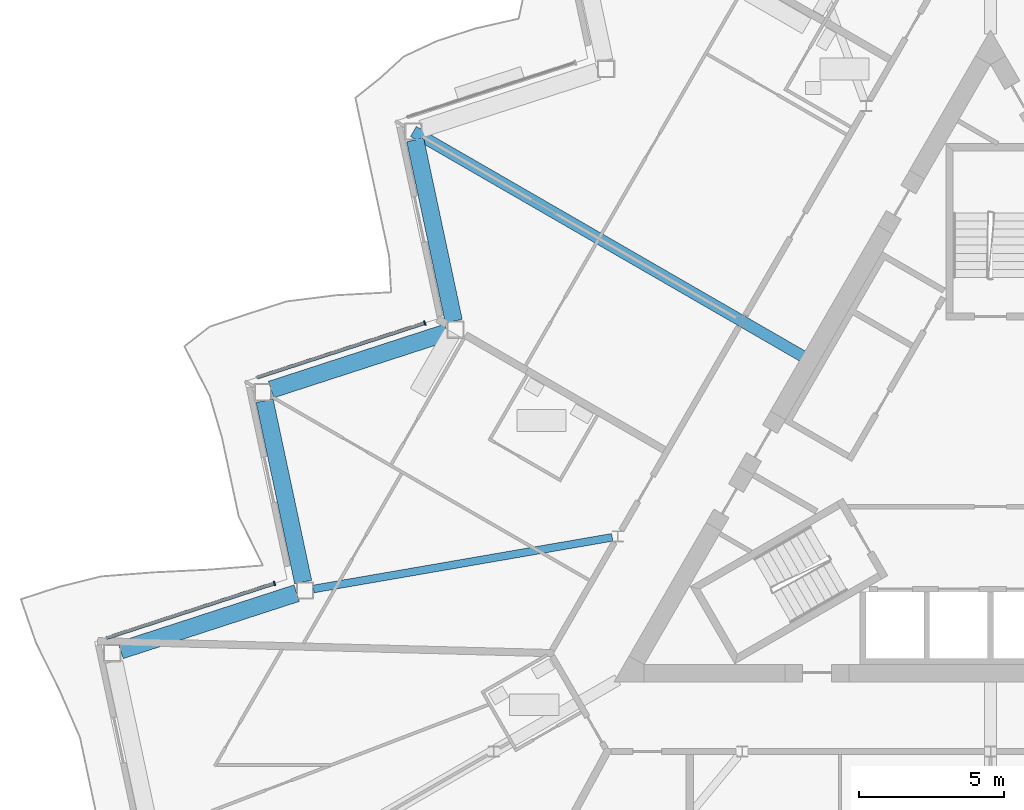
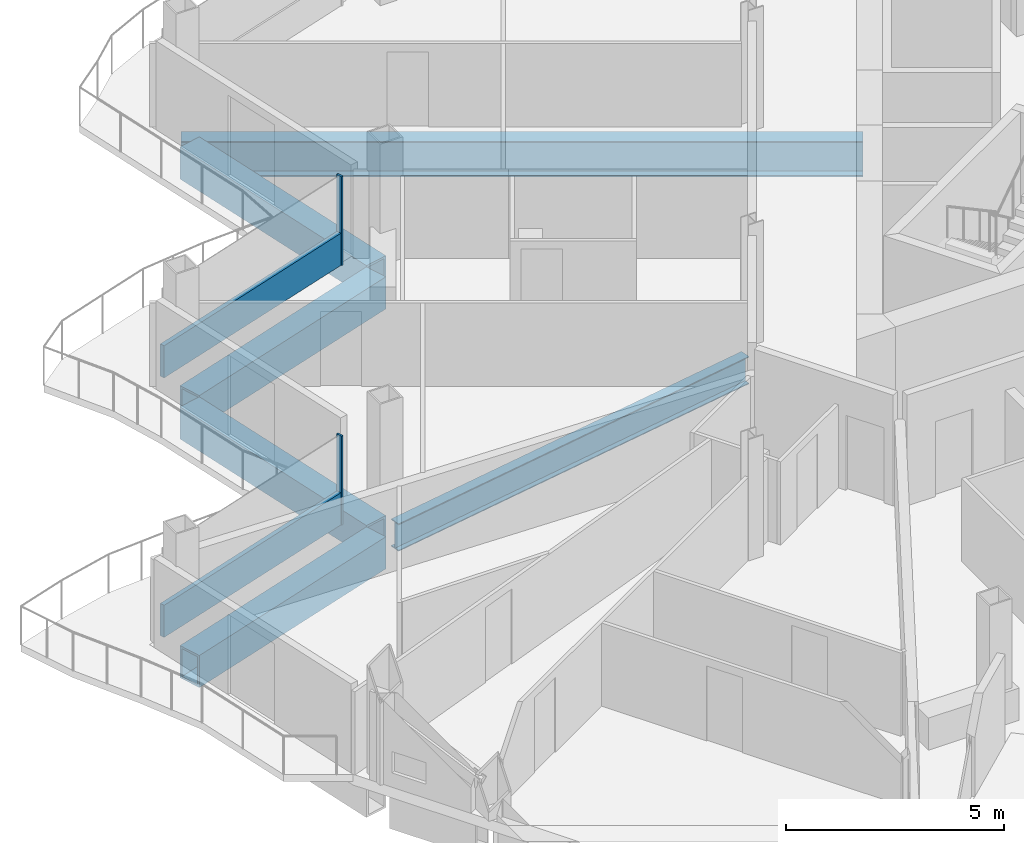
# One storey, part 6 of 28: 5 beams, 5 members, 2 elements without a shape of their own.
"""IFC4 building model written with IfcOpenShell, lengths in metres."""

from ifc_helpers import new_model, si_unit, direction, frame, origin, origin_2d, place, context, subcontext, project, spatial, rectangle, hollow_rectangle, i_section, extrude, material, layer, layer_set, material_profile, profile_set, type_object, element, aggregate, save


model = new_model("IFC4")

# Units and contexts
model_context = context("Model", 3, precision=1e-05, world=origin(), true_north=direction((0.0, 1.0)))
body_context = subcontext(model_context, "Body", "Model", "MODEL_VIEW")
ifc_project = project(units=[si_unit("LENGTHUNIT", "METRE"), si_unit("AREAUNIT", "SQUARE_METRE"), si_unit("VOLUMEUNIT", "CUBIC_METRE"), si_unit("PLANEANGLEUNIT", "RADIAN"), si_unit("MASSUNIT", "GRAM", prefix="KILO")], contexts=[model_context])

# Site, building, storey
site_placement = place(None, origin())
site = spatial("IfcSite", under=ifc_project, at=site_placement, CompositionType="ELEMENT")
building_placement = place(site_placement, origin())
building = spatial("IfcBuilding", under=site, at=building_placement, Name="Cormorant Prow Tower", CompositionType="ELEMENT")
storey_placement = place(building_placement, frame((0.0, 0.0, 301.800048828125)))
storey = spatial("IfcBuildingStorey", under=building, at=storey_placement, Name="L65", CompositionType="ELEMENT", Elevation=301.800048828125)

# Beams
ifc_material_1 = material(Name="Structural steel ASTM A572 Gr 50", Category="steel")
ifc_material_profile_1 = material_profile(ifc_material_1, hollow_rectangle(XDim=0.60009765625, YDim=0.89990234375, WallThickness=0.06005859375, at=origin_2d()), Name="Box 900x600x60")
ifc_profile_set_1 = profile_set([ifc_material_profile_1], Name="Structural steel ASTM A572 Gr 50")
beam_type_1 = type_object("IfcBeamType", Name="Belt truss top chord 900x600x60", PredefinedType="BEAM", material=ifc_profile_set_1)
beam_1_placement = place(storey_placement, frame((-19.86328125, 11.210693359375, -0.75), z_axis=(0.20791262393, -0.978147402394, 0.0), x_axis=(0.978147402394, 0.20791262393, 0.0)))
element("IfcBeam", 1, at=beam_1_placement, inside=storey, type_object=beam_type_1, Name="Belt truss top chord TC2 WNW05-WNW06 L65", PredefinedType="BEAM", context=body_context, shape_type="SweptSolid", body=[
    extrude(hollow_rectangle(XDim=0.60009765625, YDim=0.89990234375, WallThickness=0.06005859375, at=origin_2d()), origin(), (0.0, 0.0, 1.0), 6.396240234375),
])
beam_2_placement = place(storey_placement, frame((-18.75634765625, 4.568115234375, -0.75), z_axis=(-0.951064359156, -0.308992855489, 0.0), x_axis=(0.308992855489, -0.951064359156, 0.0)))
element("IfcBeam", 2, at=beam_2_placement, inside=storey, type_object=beam_type_1, Name="Belt truss top chord TC2 WNW06-WNW07 L65", PredefinedType="BEAM", context=body_context, shape_type="SweptSolid", body=[
    extrude(hollow_rectangle(XDim=0.60009765625, YDim=0.89990234375, WallThickness=0.06005859375, at=origin_2d()), origin(), (0.0, 0.0, 1.0), 6.39599609375),
])
beam_3_placement = place(storey_placement, frame((-25.062255859375, 2.20556640625, -0.75), z_axis=(0.20791262393, -0.978147402394, 0.0), x_axis=(0.978147402394, 0.20791262393, 0.0)))
element("IfcBeam", 3, at=beam_3_placement, inside=storey, type_object=beam_type_1, Name="Belt truss top chord TC2 WNW07-WNW08 L65", PredefinedType="BEAM", context=body_context, shape_type="SweptSolid", body=[
    extrude(hollow_rectangle(XDim=0.60009765625, YDim=0.89990234375, WallThickness=0.06005859375, at=origin_2d()), origin(), (0.0, 0.0, 1.0), 6.396240234375),
])
beam_4_placement = place(storey_placement, frame((-23.955322265625, -4.43701171875, -0.75), z_axis=(-0.951064359156, -0.308992855489, 0.0), x_axis=(0.308992855489, -0.951064359156, 0.0)))
element("IfcBeam", 4, at=beam_4_placement, inside=storey, type_object=beam_type_1, Name="Belt truss top chord TC2 WNW08-WNW09 L65", PredefinedType="BEAM", context=body_context, shape_type="SweptSolid", body=[
    extrude(hollow_rectangle(XDim=0.60009765625, YDim=0.89990234375, WallThickness=0.06005859375, at=origin_2d()), origin(), (0.0, 0.0, 1.0), 6.39599609375),
])

# Member
ifc_material_2 = material(Name="Structural steel ASTM A992 Gr 50", Category="steel")
ifc_material_profile_2 = material_profile(ifc_material_2, i_section(OverallWidth=0.39990234375, OverallDepth=1.000244140625, WebThickness=0.01904296875, FlangeThickness=0.0361328125, at=origin_2d()), Name="W40x249")
ifc_profile_set_2 = profile_set([ifc_material_profile_2], Name="Structural steel ASTM A992 Gr 50")
member_type_1 = type_object("IfcMemberType", Name="Outrigger chord W40x249", PredefinedType="CHORD", material=ifc_profile_set_2)
member_1_placement = place(storey_placement, frame((-6.3701171875, 3.677734375, -0.80029296875), z_axis=(-0.866020128902, 0.500009136254, 0.0), x_axis=(-0.500009136254, -0.866020128902, 0.0)))
element("IfcMember", 5, at=member_1_placement, inside=storey, type_object=member_type_1, Name="Outrigger top chord 2 L65", PredefinedType="CHORD", context=body_context, shape_type="SweptSolid", body=[
    extrude(i_section(OverallWidth=0.39990234375, OverallDepth=1.000244140625, WebThickness=0.01904296875, FlangeThickness=0.0361328125, at=origin_2d()), origin(), (0.0, 0.0, 1.0), 15.652587890625),
])

# Beam
ifc_material_3 = material(Name="Structural steel ASTM A992 Gr 50", Category="steel")
ifc_material_profile_3 = material_profile(ifc_material_3, i_section(OverallWidth=0.267822265625, OverallDepth=0.77001953125, WebThickness=0.015625, FlangeThickness=0.025390625, at=origin_2d()), Name="W30x132")
ifc_profile_set_3 = profile_set([ifc_material_profile_3], Name="Structural steel ASTM A992 Gr 50")
beam_type_2 = type_object("IfcBeamType", Name="Radial floor beam W30x132", PredefinedType="BEAM", material=ifc_profile_set_3)
beam_5_placement = place(storey_placement, frame((-13.0625, -2.510009765625, -0.68505859375), z_axis=(-0.985379592304, -0.170373293304, 0.0), x_axis=(0.170373293304, -0.985379592304, 0.0)))
element("IfcBeam", 6, at=beam_5_placement, inside=storey, type_object=beam_type_2, Name="Radial floor beam FB3 4 L65", PredefinedType="BEAM", context=body_context, shape_type="SweptSolid", body=[
    extrude(i_section(OverallWidth=0.267822265625, OverallDepth=0.77001953125, WebThickness=0.015625, FlangeThickness=0.025390625, at=origin_2d()), origin(), (0.0, 0.0, 1.0), 10.465087890625),
])

# Curtain wall, member
ifc_material_4 = material(Name="Aluminium 6063-T6", Category="aluminium")
ifc_layer = layer(ifc_material_4, 0.159912109375)
ifc_layer_set = layer_set([ifc_layer], Name="Aluminium 6063-T6")
curtain_wall_type = type_object("IfcCurtainWallType", Name="Residential unitised curtain wall 160", PredefinedType="NOTDEFINED", material=ifc_layer_set)
curtain_wall_1_placement = place(storey_placement, origin())
curtain_wall_1 = element("IfcCurtainWall", 7, at=curtain_wall_1_placement, inside=storey, type_object=curtain_wall_type, Name="Residential curtain wall WNW06", PredefinedType="NOTDEFINED")
ifc_material_5 = material(Name="Aluminium 6063-T6", Category="aluminium")
ifc_material_profile_4 = material_profile(ifc_material_5, rectangle(XDim=0.159912109375, YDim=0.050048828125, at=origin_2d()), Name="Residential mullion 50x160")
ifc_profile_set_4 = profile_set([ifc_material_profile_4], Name="Aluminium 6063-T6")
member_type_2 = type_object("IfcMemberType", Name="Residential mullion 50x160", PredefinedType="MULLION", material=ifc_profile_set_4)
member_2_placement = place(storey_placement, frame((-19.5341796875, 4.89013671875, 0.0), z_axis=(0.0, 0.0, 1.0), x_axis=(0.309017039823, -0.951056501528, 0.0)))
member_2 = element("IfcMember", 8, at=member_2_placement, type_object=member_type_2, Name="Residential mullion WNW06", PredefinedType="MULLION", context=body_context, shape_type="SweptSolid", body=[
    extrude(rectangle(XDim=0.159912109375, YDim=0.050048828125, at=origin_2d()), origin(), (0.0, 0.0, 1.0), 2.48779296875),
])

curtain_wall_2_placement = place(storey_placement, origin())
curtain_wall_2 = element("IfcCurtainWall", 9, at=curtain_wall_2_placement, inside=storey, type_object=curtain_wall_type, Name="Residential curtain wall WNW08", PredefinedType="NOTDEFINED")
member_3_placement = place(storey_placement, frame((-24.72509765625, -4.100830078125, 0.0), z_axis=(0.0, 0.0, 1.0), x_axis=(0.309016868255, -0.951056557274, 0.0)))
member_3 = element("IfcMember", 10, at=member_3_placement, type_object=member_type_2, Name="Residential mullion WNW08", PredefinedType="MULLION", context=body_context, shape_type="SweptSolid", body=[
    extrude(rectangle(XDim=0.159912109375, YDim=0.050048828125, at=origin_2d()), origin(), (0.0, 0.0, 1.0), 2.48779296875),
])

# Member
ifc_material_6 = material(Name="Terracotta", Category="masonry")
ifc_material_profile_5 = material_profile(ifc_material_6, rectangle(XDim=0.1201171875, YDim=0.89990234375, at=origin_2d()), Name="Residential terracotta spandrel rail 120x900")
ifc_profile_set_5 = profile_set([ifc_material_profile_5], Name="Terracotta")
member_type_3 = type_object("IfcMemberType", Name="Residential terracotta spandrel rail 120x900", PredefinedType="USERDEFINED", material=ifc_profile_set_5)
member_4_placement = place(storey_placement, frame((-19.557861328125, 4.88232421875, 0.449951171875), z_axis=(-0.951062157434, -0.308999632195, 0.0), x_axis=(0.308999632195, -0.951062157434, 0.0)))
member_4 = element("IfcMember", 11, at=member_4_placement, type_object=member_type_3, Name="Residential spandrel rail WNW06", ObjectType="TRANSOM", PredefinedType="USERDEFINED", context=body_context, shape_type="SweptSolid", body=[
    extrude(rectangle(XDim=0.1201171875, YDim=0.89990234375, at=origin_2d()), origin(), (0.0, 0.0, 1.0), 6.067138671875),
])

aggregate(curtain_wall_1, [member_2, member_4])

member_5_placement = place(storey_placement, frame((-24.748779296875, -4.108642578125, 0.449951171875), z_axis=(-0.951062157434, -0.308999632195, 0.0), x_axis=(0.308999632195, -0.951062157434, 0.0)))
member_5 = element("IfcMember", 12, at=member_5_placement, type_object=member_type_3, Name="Residential spandrel rail WNW08", ObjectType="TRANSOM", PredefinedType="USERDEFINED", context=body_context, shape_type="SweptSolid", body=[
    extrude(rectangle(XDim=0.1201171875, YDim=0.89990234375, at=origin_2d()), origin(), (0.0, 0.0, 1.0), 6.067138671875),
])

aggregate(curtain_wall_2, [member_3, member_5])

save(model, "model.ifc")
